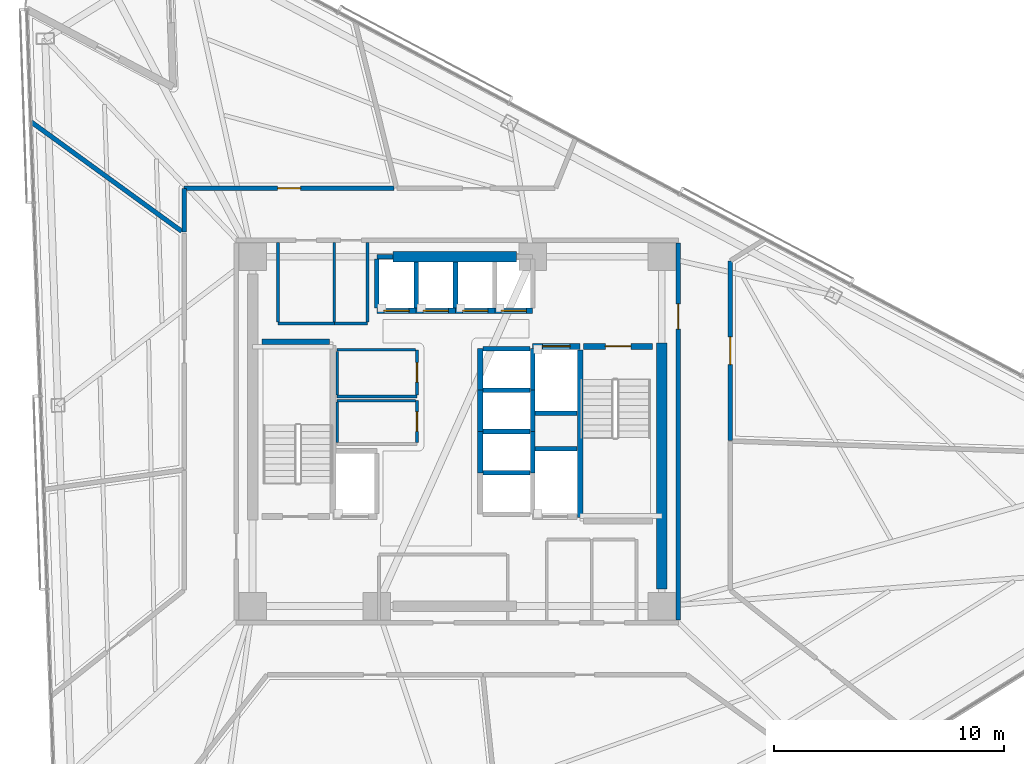
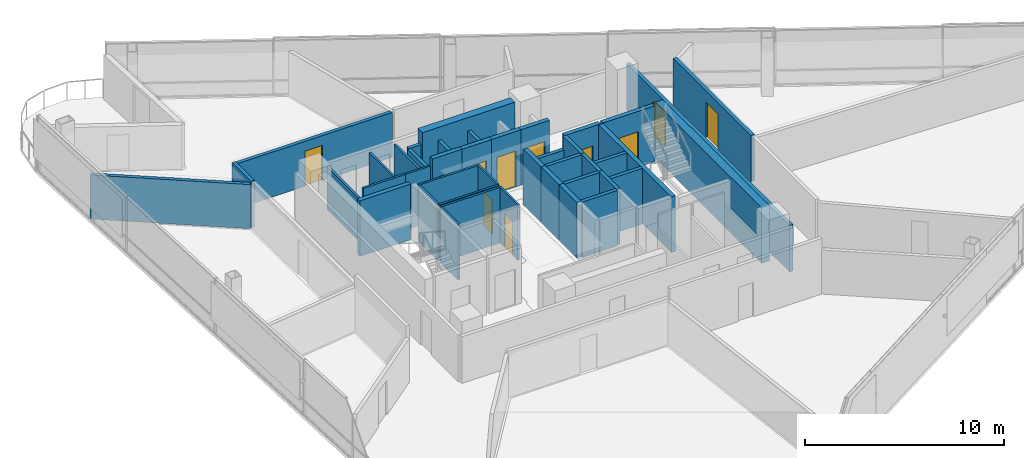
# One storey, part 13 of 20: 43 walls, 11 doors, 11 openings.
"""IFC4 building model written with IfcOpenShell, lengths in metres."""

from ifc_helpers import new_model, si_unit, direction, frame, frame_2d, origin, place, context, subcontext, project, spatial, rectangle, extrude, material, layer, layer_set, type_object, element, fill, save


model = new_model("IFC4")

# Units and contexts
model_context = context("Model", 3, precision=1e-05, world=origin(), true_north=direction((0.0, 1.0)))
body_context = subcontext(model_context, "Body", "Model", "MODEL_VIEW")
ifc_project = project(units=[si_unit("LENGTHUNIT", "METRE"), si_unit("AREAUNIT", "SQUARE_METRE"), si_unit("VOLUMEUNIT", "CUBIC_METRE"), si_unit("PLANEANGLEUNIT", "RADIAN"), si_unit("MASSUNIT", "GRAM", prefix="KILO")], contexts=[model_context])

# Site, building, storey
site_placement = place(None, origin())
site = spatial("IfcSite", under=ifc_project, at=site_placement, CompositionType="ELEMENT")
building_placement = place(site_placement, origin())
building = spatial("IfcBuilding", under=site, at=building_placement, Name="Tharavind Bronze Gate", CompositionType="ELEMENT")
storey_placement = place(building_placement, frame((0.0, 0.0, 146.0)))
storey = spatial("IfcBuildingStorey", under=building, at=storey_placement, Name="L37", CompositionType="ELEMENT", Elevation=146.0)

# Wall, opening, door
ifc_material_1 = material(Name="Aerated Concrete Block", Category="concrete")
ifc_layer_1 = layer(ifc_material_1, 0.199951171875)
ifc_layer_set_1 = layer_set([ifc_layer_1], Name="Aerated Concrete Block")
wall_type_1 = type_object("IfcWallType", Name="FIRE RATED PARTITION 200", PredefinedType="PARTITIONING", material=ifc_layer_set_1)
wall_1_placement = place(storey_placement, frame((9.6201171875, -8.199951171875, 0.0), z_axis=(0.0, 0.0, 1.0), x_axis=(0.0, 1.0, 0.0)))
wall_1 = element("IfcWall", 1, at=wall_1_placement, inside=storey, type_object=wall_type_1, Name="L37 east core corridor wall", PredefinedType="PARTITIONING", context=body_context, shape_type="SweptSolid", body=[
    extrude(rectangle(XDim=16.39990234375, YDim=0.199951171875, at=frame_2d((8.199951171875, 0.0))), origin(), (0.0, 0.0, 1.0), 2.85498046875),
])
opening_1_placement = place(wall_1_placement, frame((12.64990234375, 0.0, 0.0)))
opening_1 = element("IfcOpeningElement", 2, at=opening_1_placement, cuts=wall_1, Name="Opening ID01", PredefinedType="OPENING", context=body_context, shape_type="SweptSolid", body=[
    extrude(rectangle(XDim=1.10009765625, YDim=2.14990234375, at=frame_2d((0.550048828125, 1.074951171875))), frame((0.0, 0.11009765625, 0.0), z_axis=(0.0, -1.0, 0.0), x_axis=(1.0, 0.0, 0.0)), (0.0, 0.0, 1.0), 0.219951171875),
])
ifc_material_2 = material(Name="Fire-Rated Steel", Category="steel")
door_type_1 = type_object("IfcDoorType", Name="STAIR CORE FIRE DOOR 1100X2150", OperationType="SINGLE_SWING_LEFT", PredefinedType="DOOR", material=ifc_material_2)
door_1_placement = place(opening_1_placement, frame((1.10009765625, 0.0, 0.0), z_axis=(0.0, 0.0, 1.0), x_axis=(-1.0, 0.0, 0.0)))
door_1 = element("IfcDoor", 3, at=door_1_placement, inside=storey, type_object=door_type_1, Name="L37 north east stair lobby fire door", OperationType="SINGLE_SWING_LEFT", OverallHeight=2.14990234375, OverallWidth=1.10009765625, PredefinedType="DOOR", context=body_context, shape_type="SweptSolid", body=[
    extrude(rectangle(XDim=1.10009765625, YDim=2.14990234375, at=frame_2d((0.550048828125, 1.074951171875))), frame((0.0, 0.02490234375, 0.0), z_axis=(0.0, -1.0, 0.0), x_axis=(1.0, 0.0, 0.0)), (0.0, 0.0, 1.0), 0.050048828125),
])
fill(opening_1, door_1)

wall_2_placement = place(storey_placement, frame((-2.74609375, 10.580078125, 0.0), z_axis=(0.0, 0.0, 1.0), x_axis=(-1.0, 0.0, 0.0)))
wall_2 = element("IfcWall", 4, at=wall_2_placement, inside=storey, type_object=wall_type_1, Name="L37 Executive Office East partition", PredefinedType="PARTITIONING", context=body_context, shape_type="SweptSolid", body=[
    extrude(rectangle(XDim=9.13330078125, YDim=0.199951171875, at=frame_2d((4.566650390625, 0.0))), origin(), (0.0, 0.0, 1.0), 2.7548828125),
])
opening_2_placement = place(wall_2_placement, frame((4.06689453125, 0.0, 0.0)))
opening_2 = element("IfcOpeningElement", 5, at=opening_2_placement, cuts=wall_2, Name="Opening ID04", PredefinedType="OPENING", context=body_context, shape_type="SweptSolid", body=[
    extrude(rectangle(XDim=1.0, YDim=2.14990234375, at=frame_2d((0.5, 1.074951171875))), frame((0.0, 0.11009765625, 0.0), z_axis=(0.0, -1.0, 0.0), x_axis=(1.0, 0.0, 0.0)), (0.0, 0.0, 1.0), 0.219951171875),
])
ifc_material_3 = material(Name="Bronze Framed Acoustic Timber", Category="wood")
door_type_2 = type_object("IfcDoorType", Name="OFFICE TENANCY DOOR 1000X2150", OperationType="SINGLE_SWING_RIGHT", PredefinedType="DOOR", material=ifc_material_3)
door_2_placement = place(opening_2_placement, origin())
door_2 = element("IfcDoor", 6, at=door_2_placement, inside=storey, type_object=door_type_2, Name="L37 Executive Office East door", OperationType="SINGLE_SWING_RIGHT", OverallHeight=2.14990234375, OverallWidth=1.0, PredefinedType="DOOR", context=body_context, shape_type="SweptSolid", body=[
    extrude(rectangle(XDim=1.0, YDim=2.14990234375, at=frame_2d((0.5, 1.074951171875))), frame((0.0, 0.02490234375, 0.0), z_axis=(0.0, -1.0, 0.0), x_axis=(1.0, 0.0, 0.0)), (0.0, 0.0, 1.0), 0.050048828125),
])
fill(opening_2, door_2)

# Walls
wall_3_placement = place(storey_placement, frame((-11.8798828125, 10.579345703125, 0.0), z_axis=(0.0, 0.0, 1.0), x_axis=(0.0, -1.0, 0.0)))
element("IfcWall", 7, at=wall_3_placement, inside=storey, type_object=wall_type_1, Name="L37 Executive Office East partition", PredefinedType="PARTITIONING", context=body_context, shape_type="SweptSolid", body=[
    extrude(rectangle(XDim=1.89892578125, YDim=0.199951171875, at=frame_2d((0.949462890625, 0.0))), origin(), (0.0, 0.0, 1.0), 2.85498046875),
])
wall_4_placement = place(storey_placement, frame((-11.985107421875, 8.70751953125, 0.0), z_axis=(0.0, 0.0, 1.0), x_axis=(-0.80901356524, 0.587789972063, 0.0)))
element("IfcWall", 8, at=wall_4_placement, inside=storey, type_object=wall_type_1, Name="L37 Executive Office East partition", PredefinedType="PARTITIONING", context=body_context, shape_type="SweptSolid", body=[
    extrude(rectangle(XDim=8.1015625, YDim=0.199951171875, at=frame_2d((4.05078125, 0.0))), origin(), (0.0, 0.0, 1.0), 2.705078125),
])

# Wall, opening, door
wall_5_placement = place(storey_placement, frame((11.8798828125, -0.390625, 0.0), z_axis=(0.0, 0.0, 1.0), x_axis=(0.0, 1.0, 0.0)))
wall_5 = element("IfcWall", 9, at=wall_5_placement, inside=storey, type_object=wall_type_1, Name="L37 Strategy Room partition", PredefinedType="PARTITIONING", context=body_context, shape_type="SweptSolid", body=[
    extrude(rectangle(XDim=7.80029296875, YDim=0.199951171875, at=frame_2d((3.900146484375, 0.0))), origin(), (0.0, 0.0, 1.0), 2.85498046875),
])
opening_3_placement = place(wall_5_placement, frame((3.300048828125, 0.0, 0.0)))
opening_3 = element("IfcOpeningElement", 10, at=opening_3_placement, cuts=wall_5, Name="Opening ID05", PredefinedType="OPENING", context=body_context, shape_type="SweptSolid", body=[
    extrude(rectangle(XDim=1.199951171875, YDim=2.14990234375, at=frame_2d((0.60009765625, 1.074951171875))), frame((0.0, 0.11009765625, 0.0), z_axis=(0.0, -1.0, 0.0), x_axis=(1.0, 0.0, 0.0)), (0.0, 0.0, 1.0), 0.219951171875),
])
ifc_material_4 = material(Name="Acoustic Laminated Glass", Category="glass")
door_type_3 = type_object("IfcDoorType", Name="MEETING ROOM GLAZED DOOR 1200X2150", OperationType="SINGLE_SWING_LEFT", PredefinedType="DOOR", material=ifc_material_4)
door_3_placement = place(opening_3_placement, origin())
door_3 = element("IfcDoor", 11, at=door_3_placement, inside=storey, type_object=door_type_3, Name="L37 Strategy Room door", OperationType="SINGLE_SWING_LEFT", OverallHeight=2.14990234375, OverallWidth=1.199951171875, PredefinedType="DOOR", context=body_context, shape_type="SweptSolid", body=[
    extrude(rectangle(XDim=1.199951171875, YDim=2.14990234375, at=frame_2d((0.60009765625, 1.074951171875))), frame((0.0, 0.02490234375, 0.0), z_axis=(0.0, -1.0, 0.0), x_axis=(1.0, 0.0, 0.0)), (0.0, 0.0, 1.0), 0.050048828125),
])
fill(opening_3, door_3)

# Wall
ifc_material_5 = material(Name="Metal Stud Gypsum Partition", Category="gypsum")
ifc_layer_2 = layer(ifc_material_5, 0.1201171875)
ifc_layer_set_2 = layer_set([ifc_layer_2], Name="Metal Stud Gypsum Partition")
wall_type_2 = type_object("IfcWallType", Name="INTERIOR PARTITION WALL 120", PredefinedType="PARTITIONING", material=ifc_layer_set_2)
wall_6_placement = place(storey_placement, frame((-5.219970703125, 1.52001953125, 0.0), z_axis=(0.0, 0.0, 1.0), x_axis=(1.0, 0.0, 0.0)))
element("IfcWall", 12, at=wall_6_placement, inside=storey, type_object=wall_type_2, Name="L37 Cleaner Store Room partition 1", PredefinedType="PARTITIONING", context=body_context, shape_type="SweptSolid", body=[
    extrude(rectangle(XDim=3.469970703125, YDim=0.1201171875, at=frame_2d((1.73486328125, 0.0))), origin(), (0.0, 0.0, 1.0), 3.409912109375),
])

# Wall, opening, door
wall_7_placement = place(storey_placement, frame((-1.75, 1.5849609375, 0.0), z_axis=(0.0, 0.0, 1.0), x_axis=(0.0, 1.0, 0.0)))
wall_7 = element("IfcWall", 13, at=wall_7_placement, inside=storey, type_object=wall_type_2, Name="L37 Cleaner Store Room partition 2", PredefinedType="PARTITIONING", context=body_context, shape_type="SweptSolid", body=[
    extrude(rectangle(XDim=1.965087890625, YDim=0.1201171875, at=frame_2d((0.982421875, 0.0))), origin(), (0.0, 0.0, 1.0), 3.409912109375),
])
opening_4_placement = place(wall_7_placement, frame((0.556884765625, 0.0, 0.0)))
opening_4 = element("IfcOpeningElement", 14, at=opening_4_placement, cuts=wall_7, Name="Opening ID06", PredefinedType="OPENING", context=body_context, shape_type="SweptSolid", body=[
    extrude(rectangle(XDim=0.85009765625, YDim=2.10009765625, at=frame_2d((0.425048828125, 1.050048828125))), frame((0.0, 0.07005859375, 0.0), z_axis=(0.0, -1.0, 0.0), x_axis=(1.0, 0.0, 0.0)), (0.0, 0.0, 1.0), 0.1401171875),
])
ifc_material_6 = material(Name="Moisture-Resistant Timber", Category="wood")
door_type_4 = type_object("IfcDoorType", Name="BATHROOM PRIVACY DOOR 850X2100", OperationType="SINGLE_SWING_RIGHT", PredefinedType="DOOR", material=ifc_material_6)
door_4_placement = place(opening_4_placement, frame((0.85009765625, 0.0, 0.0), z_axis=(0.0, 0.0, 1.0), x_axis=(-1.0, 0.0, 0.0)))
door_4 = element("IfcDoor", 15, at=door_4_placement, inside=storey, type_object=door_type_4, Name="L37 Cleaner Store Room door", OperationType="SINGLE_SWING_RIGHT", OverallHeight=2.10009765625, OverallWidth=0.85009765625, PredefinedType="DOOR", context=body_context, shape_type="SweptSolid", body=[
    extrude(rectangle(XDim=0.85009765625, YDim=2.10009765625, at=frame_2d((0.425048828125, 1.050048828125))), frame((0.0, 0.02490234375, 0.0), z_axis=(0.0, -1.0, 0.0), x_axis=(1.0, 0.0, 0.0)), (0.0, 0.0, 1.0), 0.050048828125),
])
fill(opening_4, door_4)

# Walls
wall_8_placement = place(storey_placement, frame((-1.81494140625, 3.550048828125, 0.0), z_axis=(0.0, 0.0, 1.0), x_axis=(-1.0, 0.0, 0.0)))
element("IfcWall", 16, at=wall_8_placement, inside=storey, type_object=wall_type_2, Name="L37 Cleaner Store Room partition 3", PredefinedType="PARTITIONING", context=body_context, shape_type="SweptSolid", body=[
    extrude(rectangle(XDim=3.405029296875, YDim=0.1201171875, at=frame_2d((1.70263671875, 0.0))), origin(), (0.0, 0.0, 1.0), 3.409912109375),
])
wall_9_placement = place(storey_placement, frame((-5.219970703125, 3.485107421875, 0.0), z_axis=(0.0, 0.0, 1.0), x_axis=(0.0, -1.0, 0.0)))
element("IfcWall", 17, at=wall_9_placement, inside=storey, type_object=wall_type_2, Name="L37 Cleaner Store Room partition 4", PredefinedType="PARTITIONING", context=body_context, shape_type="SweptSolid", body=[
    extrude(rectangle(XDim=1.900146484375, YDim=0.1201171875, at=frame_2d((0.9501953125, 0.0))), origin(), (0.0, 0.0, 1.0), 3.409912109375),
])

# Wall, opening, door
wall_10_placement = place(storey_placement, frame((-1.75, -0.485107421875, 0.0), z_axis=(0.0, 0.0, 1.0), x_axis=(0.0, 1.0, 0.0)))
wall_10 = element("IfcWall", 18, at=wall_10_placement, inside=storey, type_object=wall_type_2, Name="L37 Electrical Switch Room partition 2", PredefinedType="PARTITIONING", context=body_context, shape_type="SweptSolid", body=[
    extrude(rectangle(XDim=1.8251953125, YDim=0.1201171875, at=frame_2d((0.91259765625, 0.0))), origin(), (0.0, 0.0, 1.0), 3.409912109375),
])
opening_5_placement = place(wall_10_placement, frame((0.488037109375, 0.0, 0.0)))
opening_5 = element("IfcOpeningElement", 19, at=opening_5_placement, cuts=wall_10, Name="Opening ID06", PredefinedType="OPENING", context=body_context, shape_type="SweptSolid", body=[
    extrude(rectangle(XDim=0.85009765625, YDim=2.10009765625, at=frame_2d((0.425048828125, 1.050048828125))), frame((0.0, 0.07005859375, 0.0), z_axis=(0.0, -1.0, 0.0), x_axis=(1.0, 0.0, 0.0)), (0.0, 0.0, 1.0), 0.1401171875),
])
door_5_placement = place(opening_5_placement, frame((0.85009765625, 0.0, 0.0), z_axis=(0.0, 0.0, 1.0), x_axis=(-1.0, 0.0, 0.0)))
door_5 = element("IfcDoor", 20, at=door_5_placement, inside=storey, type_object=door_type_4, Name="L37 Electrical Switch Room door", OperationType="SINGLE_SWING_RIGHT", OverallHeight=2.10009765625, OverallWidth=0.85009765625, PredefinedType="DOOR", context=body_context, shape_type="SweptSolid", body=[
    extrude(rectangle(XDim=0.85009765625, YDim=2.10009765625, at=frame_2d((0.425048828125, 1.050048828125))), frame((0.0, 0.02490234375, 0.0), z_axis=(0.0, -1.0, 0.0), x_axis=(1.0, 0.0, 0.0)), (0.0, 0.0, 1.0), 0.050048828125),
])
fill(opening_5, door_5)

# Walls
wall_11_placement = place(storey_placement, frame((-1.81494140625, 1.340087890625, 0.0), z_axis=(0.0, 0.0, 1.0), x_axis=(-1.0, 0.0, 0.0)))
element("IfcWall", 21, at=wall_11_placement, inside=storey, type_object=wall_type_2, Name="L37 Electrical Switch Room partition 3", PredefinedType="PARTITIONING", context=body_context, shape_type="SweptSolid", body=[
    extrude(rectangle(XDim=3.405029296875, YDim=0.1201171875, at=frame_2d((1.70263671875, 0.0))), origin(), (0.0, 0.0, 1.0), 3.409912109375),
])
wall_12_placement = place(storey_placement, frame((-5.219970703125, 1.27490234375, 0.0), z_axis=(0.0, 0.0, 1.0), x_axis=(0.0, -1.0, 0.0)))
element("IfcWall", 22, at=wall_12_placement, inside=storey, type_object=wall_type_2, Name="L37 Electrical Switch Room partition 4", PredefinedType="PARTITIONING", context=body_context, shape_type="SweptSolid", body=[
    extrude(rectangle(XDim=1.760009765625, YDim=0.1201171875, at=frame_2d((0.8798828125, 0.0))), origin(), (0.0, 0.0, 1.0), 3.409912109375),
])
wall_13_placement = place(storey_placement, frame((-7.800048828125, 4.699951171875, 0.0), z_axis=(0.0, 0.0, 1.0), x_axis=(1.0, 0.0, 0.0)))
element("IfcWall", 23, at=wall_13_placement, inside=storey, type_object=wall_type_2, Name="L37 Electrical Metering Room partition 1", PredefinedType="PARTITIONING", context=body_context, shape_type="SweptSolid", body=[
    extrude(rectangle(XDim=2.449951171875, YDim=0.1201171875, at=frame_2d((1.22509765625, 0.0))), origin(), (0.0, 0.0, 1.0), 3.409912109375),
])
for number, where, z_axis, x_axis, name in (
    (24, (-5.35009765625, 4.764892578125, 0.0), (0.0, 0.0, 1.0), (0.0, 1.0, 0.0), "L37 Electrical Metering Room partition 2"),
    (25, (-7.800048828125, 8.215087890625, 0.0), (0.0, 0.0, 1.0), (0.0, -1.0, 0.0), "L37 Electrical Metering Room partition 4"),
):
    element("IfcWall", number, at=place(storey_placement, frame(where, z_axis=z_axis, x_axis=x_axis)), inside=storey, type_object=wall_type_2, Name=name, PredefinedType="PARTITIONING", context=body_context, shape_type="SweptSolid", body=[
        extrude(rectangle(XDim=3.4501953125, YDim=0.1201171875, at=frame_2d((1.72509765625, 0.0))), origin(), (0.0, 0.0, 1.0), 2.60498046875),
    ])
wall_14_placement = place(storey_placement, frame((-5.35009765625, 4.699951171875, 0.0), z_axis=(0.0, 0.0, 1.0), x_axis=(1.0, 0.0, 0.0)))
element("IfcWall", 26, at=wall_14_placement, inside=storey, type_object=wall_type_2, Name="L37 Linen Cupboard partition 1", PredefinedType="PARTITIONING", context=body_context, shape_type="SweptSolid", body=[
    extrude(rectangle(XDim=1.4501953125, YDim=0.1201171875, at=frame_2d((0.72509765625, 0.0))), origin(), (0.0, 0.0, 1.0), 3.409912109375),
])
wall_15_placement = place(storey_placement, frame((-3.89990234375, 4.764892578125, 0.0), z_axis=(0.0, 0.0, 1.0), x_axis=(0.0, 1.0, 0.0)))
element("IfcWall", 27, at=wall_15_placement, inside=storey, type_object=wall_type_2, Name="L37 Linen Cupboard partition 2", PredefinedType="PARTITIONING", context=body_context, shape_type="SweptSolid", body=[
    extrude(rectangle(XDim=3.4501953125, YDim=0.1201171875, at=frame_2d((1.72509765625, 0.0))), origin(), (0.0, 0.0, 1.0), 2.60498046875),
])
ifc_material_7 = material(Name="Concrete C50/60", Category="concrete")
ifc_layer_3 = layer(ifc_material_7, 0.25)
ifc_layer_set_3 = layer_set([ifc_layer_3], Name="Concrete C50/60")
wall_type_3 = type_object("IfcWallType", Name="RC CORE SHEAR WALL 250", PredefinedType="SHEAR", material=ifc_layer_set_3)
wall_16_placement = place(storey_placement, frame((-8.5, 3.89990234375, 0.0), z_axis=(0.0, 0.0, 1.0), x_axis=(1.0, 0.0, 0.0)))
element("IfcWall", 28, at=wall_16_placement, inside=storey, type_object=wall_type_3, Name="L37 ST1 shaft north wall", PredefinedType="SHEAR", context=body_context, shape_type="SweptSolid", body=[
    extrude(rectangle(XDim=2.949951171875, YDim=0.25, at=frame_2d((1.47509765625, 0.0))), origin(), (0.0, 0.0, 1.0), 3.409912109375),
])
wall_17_placement = place(storey_placement, frame((5.35009765625, -3.75, 0.0), z_axis=(0.0, 0.0, 1.0), x_axis=(0.0, 1.0, 0.0)))
element("IfcWall", 29, at=wall_17_placement, inside=storey, type_object=wall_type_3, Name="L37 ST2 shaft west wall", PredefinedType="SHEAR", context=body_context, shape_type="SweptSolid", body=[
    extrude(rectangle(XDim=7.300048828125, YDim=0.25, at=frame_2d((3.64990234375, 0.0))), origin(), (0.0, 0.0, 1.0), 3.409912109375),
])

# Wall, opening, door
wall_18_placement = place(storey_placement, frame((5.5, 3.699951171875, 0.0), z_axis=(0.0, 0.0, 1.0), x_axis=(1.0, 0.0, 0.0)))
wall_18 = element("IfcWall", 30, at=wall_18_placement, inside=storey, type_object=wall_type_3, Name="L37 ST2 shaft north wall", PredefinedType="SHEAR", context=body_context, shape_type="SweptSolid", body=[
    extrude(rectangle(XDim=3.0, YDim=0.25, at=frame_2d((1.5, 0.0))), origin(), (0.0, 0.0, 1.0), 3.409912109375),
])
opening_6_placement = place(wall_18_placement, frame((0.949951171875, 0.0, 0.0)))
opening_6 = element("IfcOpeningElement", 31, at=opening_6_placement, cuts=wall_18, Name="Opening ID01", PredefinedType="OPENING", context=body_context, shape_type="SweptSolid", body=[
    extrude(rectangle(XDim=1.10009765625, YDim=2.14990234375, at=frame_2d((0.550048828125, 1.074951171875))), frame((0.0, 0.135, 0.0), z_axis=(0.0, -1.0, 0.0), x_axis=(1.0, 0.0, 0.0)), (0.0, 0.0, 1.0), 0.27),
])
door_6_placement = place(opening_6_placement, frame((1.10009765625, 0.0, 0.0), z_axis=(0.0, 0.0, 1.0), x_axis=(-1.0, 0.0, 0.0)))
door_6 = element("IfcDoor", 32, at=door_6_placement, inside=storey, type_object=door_type_1, Name="L37 exit stair ST2 fire door", OperationType="SINGLE_SWING_LEFT", OverallHeight=2.14990234375, OverallWidth=1.10009765625, PredefinedType="DOOR", context=body_context, shape_type="SweptSolid", body=[
    extrude(rectangle(XDim=1.10009765625, YDim=2.14990234375, at=frame_2d((0.550048828125, 1.074951171875))), frame((0.0, 0.02490234375, 0.0), z_axis=(0.0, -1.0, 0.0), x_axis=(1.0, 0.0, 0.0)), (0.0, 0.0, 1.0), 0.050048828125),
])
fill(opening_6, door_6)

wall_19_placement = place(storey_placement, frame((-3.5, 5.25, 0.0), z_axis=(0.0, 0.0, 1.0), x_axis=(1.0, 0.0, 0.0)))
wall_19 = element("IfcWall", 33, at=wall_19_placement, inside=storey, type_object=wall_type_3, Name="L37 lift PL5 shaft front wall", PredefinedType="SHEAR", context=body_context, shape_type="SweptSolid", body=[
    extrude(rectangle(XDim=1.71240234375, YDim=0.25, at=frame_2d((0.856201171875, 0.0))), origin(), (0.0, 0.0, 1.0), 3.409912109375),
])
opening_7_placement = place(wall_19_placement, frame((0.305908203125, 0.0, 0.0)))
opening_7 = element("IfcOpeningElement", 34, at=opening_7_placement, cuts=wall_19, Name="Opening LD01", PredefinedType="OPENING", context=body_context, shape_type="SweptSolid", body=[
    extrude(rectangle(XDim=1.10009765625, YDim=2.199951171875, at=frame_2d((0.550048828125, 1.10009765625))), frame((0.0, 0.135, 0.0), z_axis=(0.0, -1.0, 0.0), x_axis=(1.0, 0.0, 0.0)), (0.0, 0.0, 1.0), 0.27),
])
ifc_material_8 = material(Name="Brushed Bronze Stainless Steel", Category="steel")
door_type_5 = type_object("IfcDoorType", Name="LIFT LANDING SLIDING DOOR 1100X2200", OperationType="SLIDING_TO_LEFT", PredefinedType="DOOR", material=ifc_material_8)
door_7_placement = place(opening_7_placement, origin())
door_7 = element("IfcDoor", 35, at=door_7_placement, inside=storey, type_object=door_type_5, Name="L37 lift PL5 sliding landing door", OperationType="SLIDING_TO_LEFT", OverallHeight=2.199951171875, OverallWidth=1.10009765625, PredefinedType="DOOR", context=body_context, shape_type="SweptSolid", body=[
    extrude(rectangle(XDim=1.10009765625, YDim=2.199951171875, at=frame_2d((0.550048828125, 1.10009765625))), frame((0.0, 0.02490234375, 0.0), z_axis=(0.0, -1.0, 0.0), x_axis=(1.0, 0.0, 0.0)), (0.0, 0.0, 1.0), 0.050048828125),
])
fill(opening_7, door_7)

wall_20_placement = place(storey_placement, frame((-1.78759765625, 5.25, 0.0), z_axis=(0.0, 0.0, 1.0), x_axis=(1.0, 0.0, 0.0)))
wall_20 = element("IfcWall", 36, at=wall_20_placement, inside=storey, type_object=wall_type_3, Name="L37 lift PL6 shaft front wall", PredefinedType="SHEAR", context=body_context, shape_type="SweptSolid", body=[
    extrude(rectangle(XDim=1.712646484375, YDim=0.25, at=frame_2d((0.8564453125, 0.0))), origin(), (0.0, 0.0, 1.0), 3.409912109375),
])
opening_8_placement = place(wall_20_placement, frame((0.305908203125, 0.0, 0.0)))
opening_8 = element("IfcOpeningElement", 37, at=opening_8_placement, cuts=wall_20, Name="Opening LD01", PredefinedType="OPENING", context=body_context, shape_type="SweptSolid", body=[
    extrude(rectangle(XDim=1.10009765625, YDim=2.199951171875, at=frame_2d((0.550048828125, 1.10009765625))), frame((0.0, 0.135, 0.0), z_axis=(0.0, -1.0, 0.0), x_axis=(1.0, 0.0, 0.0)), (0.0, 0.0, 1.0), 0.27),
])
door_8_placement = place(opening_8_placement, origin())
door_8 = element("IfcDoor", 38, at=door_8_placement, inside=storey, type_object=door_type_5, Name="L37 lift PL6 sliding landing door", OperationType="SLIDING_TO_LEFT", OverallHeight=2.199951171875, OverallWidth=1.10009765625, PredefinedType="DOOR", context=body_context, shape_type="SweptSolid", body=[
    extrude(rectangle(XDim=1.10009765625, YDim=2.199951171875, at=frame_2d((0.550048828125, 1.10009765625))), frame((0.0, 0.02490234375, 0.0), z_axis=(0.0, -1.0, 0.0), x_axis=(1.0, 0.0, 0.0)), (0.0, 0.0, 1.0), 0.050048828125),
])
fill(opening_8, door_8)

wall_21_placement = place(storey_placement, frame((-0.074951171875, 5.25, 0.0), z_axis=(0.0, 0.0, 1.0), x_axis=(1.0, 0.0, 0.0)))
wall_21 = element("IfcWall", 39, at=wall_21_placement, inside=storey, type_object=wall_type_3, Name="L37 lift PL7 shaft front wall", PredefinedType="SHEAR", context=body_context, shape_type="SweptSolid", body=[
    extrude(rectangle(XDim=1.71240234375, YDim=0.25, at=frame_2d((0.856201171875, 0.0))), origin(), (0.0, 0.0, 1.0), 3.409912109375),
])
opening_9_placement = place(wall_21_placement, frame((0.305908203125, 0.0, 0.0)))
opening_9 = element("IfcOpeningElement", 40, at=opening_9_placement, cuts=wall_21, Name="Opening LD01", PredefinedType="OPENING", context=body_context, shape_type="SweptSolid", body=[
    extrude(rectangle(XDim=1.10009765625, YDim=2.199951171875, at=frame_2d((0.550048828125, 1.10009765625))), frame((0.0, 0.135, 0.0), z_axis=(0.0, -1.0, 0.0), x_axis=(1.0, 0.0, 0.0)), (0.0, 0.0, 1.0), 0.27),
])
door_9_placement = place(opening_9_placement, origin())
door_9 = element("IfcDoor", 41, at=door_9_placement, inside=storey, type_object=door_type_5, Name="L37 lift PL7 sliding landing door", OperationType="SLIDING_TO_LEFT", OverallHeight=2.199951171875, OverallWidth=1.10009765625, PredefinedType="DOOR", context=body_context, shape_type="SweptSolid", body=[
    extrude(rectangle(XDim=1.10009765625, YDim=2.199951171875, at=frame_2d((0.550048828125, 1.10009765625))), frame((0.0, 0.02490234375, 0.0), z_axis=(0.0, -1.0, 0.0), x_axis=(1.0, 0.0, 0.0)), (0.0, 0.0, 1.0), 0.050048828125),
])
fill(opening_9, door_9)

wall_22_placement = place(storey_placement, frame((1.637451171875, 5.25, 0.0), z_axis=(0.0, 0.0, 1.0), x_axis=(1.0, 0.0, 0.0)))
wall_22 = element("IfcWall", 42, at=wall_22_placement, inside=storey, type_object=wall_type_3, Name="L37 lift PL8 shaft front wall", PredefinedType="SHEAR", context=body_context, shape_type="SweptSolid", body=[
    extrude(rectangle(XDim=1.642578125, YDim=0.25, at=frame_2d((0.8212890625, 0.0))), origin(), (0.0, 0.0, 1.0), 3.409912109375),
])
opening_10_placement = place(wall_22_placement, frame((0.27099609375, 0.0, 0.0)))
opening_10 = element("IfcOpeningElement", 43, at=opening_10_placement, cuts=wall_22, Name="Opening LD01", PredefinedType="OPENING", context=body_context, shape_type="SweptSolid", body=[
    extrude(rectangle(XDim=1.10009765625, YDim=2.199951171875, at=frame_2d((0.550048828125, 1.10009765625))), frame((0.0, 0.135, 0.0), z_axis=(0.0, -1.0, 0.0), x_axis=(1.0, 0.0, 0.0)), (0.0, 0.0, 1.0), 0.27),
])
door_10_placement = place(opening_10_placement, origin())
door_10 = element("IfcDoor", 44, at=door_10_placement, inside=storey, type_object=door_type_5, Name="L37 lift PL8 sliding landing door", OperationType="SLIDING_TO_LEFT", OverallHeight=2.199951171875, OverallWidth=1.10009765625, PredefinedType="DOOR", context=body_context, shape_type="SweptSolid", body=[
    extrude(rectangle(XDim=1.10009765625, YDim=2.199951171875, at=frame_2d((0.550048828125, 1.10009765625))), frame((0.0, 0.02490234375, 0.0), z_axis=(0.0, -1.0, 0.0), x_axis=(1.0, 0.0, 0.0)), (0.0, 0.0, 1.0), 0.050048828125),
])
fill(opening_10, door_10)

# Walls
for number, where, z_axis, x_axis, name in (
    (45, (1.0, -1.800048828125, 0.0), (0.0, 0.0, 1.0), (0.0, 1.0, 0.0), "L37 lift PL10 shaft front wall"),
    (46, (1.0, 0.0, 0.0), (0.0, 0.0, 1.0), (0.0, 1.0, 0.0), "L37 lift PL11 shaft front wall"),
    (47, (1.0, 1.800048828125, 0.0), (0.0, 0.0, 1.0), (0.0, 1.0, 0.0), "L37 lift PL12 shaft front wall"),
):
    element("IfcWall", number, at=place(storey_placement, frame(where, z_axis=z_axis, x_axis=x_axis)), inside=storey, type_object=wall_type_3, Name=name, PredefinedType="SHEAR", context=body_context, shape_type="SweptSolid", body=[
        extrude(rectangle(XDim=1.800048828125, YDim=0.25, at=frame_2d((0.89990234375, 0.0))), origin(), (0.0, 0.0, 1.0), 3.409912109375),
    ])

# Wall, opening, door
wall_23_placement = place(storey_placement, frame((3.280029296875, 3.699951171875, 0.0), z_axis=(0.0, 0.0, 1.0), x_axis=(1.0, 0.0, 0.0)))
wall_23 = element("IfcWall", 48, at=wall_23_placement, inside=storey, type_object=wall_type_3, Name="L37 lift FFL2 shaft front wall", PredefinedType="SHEAR", context=body_context, shape_type="SweptSolid", body=[
    extrude(rectangle(XDim=2.070068359375, YDim=0.25, at=frame_2d((1.03515625, 0.0))), origin(), (0.0, 0.0, 1.0), 3.409912109375),
])
opening_11_placement = place(wall_23_placement, frame((0.43505859375, 0.0, 0.0)))
opening_11 = element("IfcOpeningElement", 49, at=opening_11_placement, cuts=wall_23, Name="Opening LD02", PredefinedType="OPENING", context=body_context, shape_type="SweptSolid", body=[
    extrude(rectangle(XDim=1.199951171875, YDim=2.199951171875, at=frame_2d((0.60009765625, 1.10009765625))), frame((0.0, 0.135, 0.0), z_axis=(0.0, -1.0, 0.0), x_axis=(1.0, 0.0, 0.0)), (0.0, 0.0, 1.0), 0.27),
])
ifc_material_9 = material(Name="Brushed Stainless Steel", Category="steel")
door_type_6 = type_object("IfcDoorType", Name="FIREFIGHTING LIFT LANDING DOOR 1200X2200", OperationType="SLIDING_TO_RIGHT", PredefinedType="DOOR", material=ifc_material_9)
door_11_placement = place(opening_11_placement, origin())
door_11 = element("IfcDoor", 50, at=door_11_placement, inside=storey, type_object=door_type_6, Name="L37 lift FFL2 sliding landing door", OperationType="SLIDING_TO_RIGHT", OverallHeight=2.199951171875, OverallWidth=1.199951171875, PredefinedType="DOOR", context=body_context, shape_type="SweptSolid", body=[
    extrude(rectangle(XDim=1.199951171875, YDim=2.199951171875, at=frame_2d((0.60009765625, 1.10009765625))), frame((0.0, 0.02490234375, 0.0), z_axis=(0.0, -1.0, 0.0), x_axis=(1.0, 0.0, 0.0)), (0.0, 0.0, 1.0), 0.050048828125),
])
fill(opening_11, door_11)

# Walls
ifc_material_10 = material(Name="Concrete C60/75", Category="concrete")
ifc_layer_4 = layer(ifc_material_10, 0.449951171875)
ifc_layer_set_4 = layer_set([ifc_layer_4], Name="Concrete C60/75")
wall_type_4 = type_object("IfcWallType", Name="RC CORE SHEAR WALL 450", PredefinedType="SHEAR", material=ifc_layer_set_4)
wall_24_placement = place(storey_placement, frame((-2.800048828125, 7.60009765625, 0.0), z_axis=(0.0, 0.0, 1.0), x_axis=(1.0, 0.0, 0.0)))
element("IfcWall", 51, at=wall_24_placement, inside=storey, type_object=wall_type_4, Name="L37 north core shear wall", PredefinedType="SHEAR", context=body_context, shape_type="SweptSolid", body=[
    extrude(rectangle(XDim=5.380126953125, YDim=0.449951171875, at=frame_2d((2.68994140625, 0.0))), origin(), (0.0, 0.0, 1.0), 3.409912109375),
])
wall_25_placement = place(storey_placement, frame((8.89990234375, -6.85009765625, 0.0), z_axis=(0.0, 0.0, 1.0), x_axis=(0.0, 1.0, 0.0)))
element("IfcWall", 52, at=wall_25_placement, inside=storey, type_object=wall_type_4, Name="L37 east core shear wall", PredefinedType="SHEAR", context=body_context, shape_type="SweptSolid", body=[
    extrude(rectangle(XDim=10.7001953125, YDim=0.449951171875, at=frame_2d((5.35009765625, 0.0))), origin(), (0.0, 0.0, 1.0), 3.409912109375),
])
ifc_material_11 = material(Name="Concrete C40/50", Category="concrete")
ifc_layer_5 = layer(ifc_material_11, 0.199951171875)
ifc_layer_set_5 = layer_set([ifc_layer_5], Name="Concrete C40/50")
wall_type_5 = type_object("IfcWallType", Name="SHAFT ENCLOSURE WALL 200", PredefinedType="PARTITIONING", material=ifc_layer_set_5)
wall_26_placement = place(storey_placement, frame((-3.5, 7.60009765625, 0.0), z_axis=(0.0, 0.0, 1.0), x_axis=(1.0, 0.0, 0.0)))
element("IfcWall", 53, at=wall_26_placement, inside=storey, type_object=wall_type_5, Name="L37 lift PL5 shaft N enclosure wall", PredefinedType="PARTITIONING", context=body_context, shape_type="SweptSolid", body=[
    extrude(rectangle(XDim=0.699951171875, YDim=0.199951171875, at=frame_2d((0.35009765625, 0.0))), origin(), (0.0, 0.0, 1.0), 2.60498046875),
])
wall_27_placement = place(storey_placement, frame((-3.5, 5.3798828125, 0.0), z_axis=(0.0, 0.0, 1.0), x_axis=(0.0, 1.0, 0.0)))
element("IfcWall", 54, at=wall_27_placement, inside=storey, type_object=wall_type_5, Name="L37 lift PL5 shaft W enclosure wall", PredefinedType="PARTITIONING", context=body_context, shape_type="SweptSolid", body=[
    extrude(rectangle(XDim=2.115234375, YDim=0.199951171875, at=frame_2d((1.0576171875, 0.0))), origin(), (0.0, 0.0, 1.0), 2.60498046875),
])
for number, where, z_axis, x_axis, name in (
    (55, (-1.78759765625, 5.3798828125, 0.0), (0.0, 0.0, 1.0), (0.0, 1.0, 0.0), "L37 lift PL5 shaft E enclosure wall"),
    (56, (-0.074951171875, 5.3798828125, 0.0), (0.0, 0.0, 1.0), (0.0, 1.0, 0.0), "L37 lift PL6 shaft E enclosure wall"),
):
    element("IfcWall", number, at=place(storey_placement, frame(where, z_axis=z_axis, x_axis=x_axis)), inside=storey, type_object=wall_type_5, Name=name, PredefinedType="PARTITIONING", context=body_context, shape_type="SweptSolid", body=[
        extrude(rectangle(XDim=1.990234375, YDim=0.199951171875, at=frame_2d((0.9951171875, 0.0))), origin(), (0.0, 0.0, 1.0), 2.60498046875),
    ])
wall_28_placement = place(storey_placement, frame((1.1298828125, -1.800048828125, 0.0), z_axis=(0.0, 0.0, 1.0), x_axis=(1.0, 0.0, 0.0)))
element("IfcWall", 57, at=wall_28_placement, inside=storey, type_object=wall_type_5, Name="L37 lift PL9 shaft N enclosure wall", PredefinedType="PARTITIONING", context=body_context, shape_type="SweptSolid", body=[
    extrude(rectangle(XDim=2.045166015625, YDim=0.199951171875, at=frame_2d((1.0224609375, 0.0))), origin(), (0.0, 0.0, 1.0), 3.409912109375),
])
wall_29_placement = place(storey_placement, frame((3.280029296875, -1.800048828125, 0.0), z_axis=(0.0, 0.0, 1.0), x_axis=(0.0, 1.0, 0.0)))
element("IfcWall", 58, at=wall_29_placement, inside=storey, type_object=wall_type_5, Name="L37 lift PL10 shaft E enclosure wall", PredefinedType="PARTITIONING", context=body_context, shape_type="SweptSolid", body=[
    extrude(rectangle(XDim=1.800048828125, YDim=0.199951171875, at=frame_2d((0.89990234375, 0.0))), origin(), (0.0, 0.0, 1.0), 3.409912109375),
])
wall_30_placement = place(storey_placement, frame((1.1298828125, 0.0, 0.0), z_axis=(0.0, 0.0, 1.0), x_axis=(1.0, 0.0, 0.0)))
element("IfcWall", 59, at=wall_30_placement, inside=storey, type_object=wall_type_5, Name="L37 lift PL10 shaft N enclosure wall", PredefinedType="PARTITIONING", context=body_context, shape_type="SweptSolid", body=[
    extrude(rectangle(XDim=2.045166015625, YDim=0.199951171875, at=frame_2d((1.0224609375, 0.0))), origin(), (0.0, 0.0, 1.0), 3.409912109375),
])
wall_31_placement = place(storey_placement, frame((3.280029296875, 0.0, 0.0), z_axis=(0.0, 0.0, 1.0), x_axis=(0.0, 1.0, 0.0)))
element("IfcWall", 60, at=wall_31_placement, inside=storey, type_object=wall_type_5, Name="L37 lift PL11 shaft E enclosure wall", PredefinedType="PARTITIONING", context=body_context, shape_type="SweptSolid", body=[
    extrude(rectangle(XDim=1.800048828125, YDim=0.199951171875, at=frame_2d((0.89990234375, 0.0))), origin(), (0.0, 0.0, 1.0), 3.409912109375),
])
wall_32_placement = place(storey_placement, frame((1.1298828125, 1.800048828125, 0.0), z_axis=(0.0, 0.0, 1.0), x_axis=(1.0, 0.0, 0.0)))
element("IfcWall", 61, at=wall_32_placement, inside=storey, type_object=wall_type_5, Name="L37 lift PL11 shaft N enclosure wall", PredefinedType="PARTITIONING", context=body_context, shape_type="SweptSolid", body=[
    extrude(rectangle(XDim=2.045166015625, YDim=0.199951171875, at=frame_2d((1.0224609375, 0.0))), origin(), (0.0, 0.0, 1.0), 3.409912109375),
])
wall_33_placement = place(storey_placement, frame((3.280029296875, 1.800048828125, 0.0), z_axis=(0.0, 0.0, 1.0), x_axis=(0.0, 1.0, 0.0)))
element("IfcWall", 62, at=wall_33_placement, inside=storey, type_object=wall_type_5, Name="L37 lift PL12 shaft E enclosure wall", PredefinedType="PARTITIONING", context=body_context, shape_type="SweptSolid", body=[
    extrude(rectangle(XDim=1.800048828125, YDim=0.199951171875, at=frame_2d((0.89990234375, 0.0))), origin(), (0.0, 0.0, 1.0), 3.409912109375),
])
wall_34_placement = place(storey_placement, frame((1.1298828125, 3.60009765625, 0.0), z_axis=(0.0, 0.0, 1.0), x_axis=(1.0, 0.0, 0.0)))
element("IfcWall", 63, at=wall_34_placement, inside=storey, type_object=wall_type_5, Name="L37 lift PL12 shaft N enclosure wall", PredefinedType="PARTITIONING", context=body_context, shape_type="SweptSolid", body=[
    extrude(rectangle(XDim=2.045166015625, YDim=0.199951171875, at=frame_2d((1.0224609375, 0.0))), origin(), (0.0, 0.0, 1.0), 2.60498046875),
])
for number, where, z_axis, x_axis, name in (
    (64, (3.385009765625, 0.800048828125, 0.0), (0.0, 0.0, 1.0), (1.0, 0.0, 0.0), "L37 lift FFL2 shaft S enclosure wall"),
    (65, (3.385009765625, -0.75, 0.0), (0.0, 0.0, 1.0), (1.0, 0.0, 0.0), "L37 lift SVL1 shaft N enclosure wall"),
):
    element("IfcWall", number, at=place(storey_placement, frame(where, z_axis=z_axis, x_axis=x_axis)), inside=storey, type_object=wall_type_5, Name=name, PredefinedType="PARTITIONING", context=body_context, shape_type="SweptSolid", body=[
        extrude(rectangle(XDim=1.8349609375, YDim=0.199951171875, at=frame_2d((0.91748046875, 0.0))), origin(), (0.0, 0.0, 1.0), 3.409912109375),
    ])

save(model, "model.ifc")
